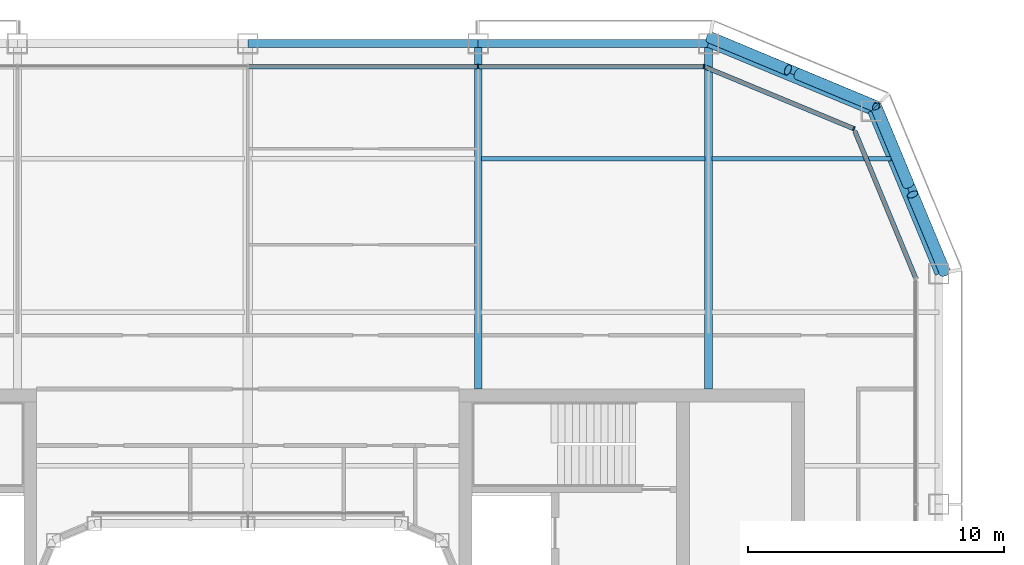
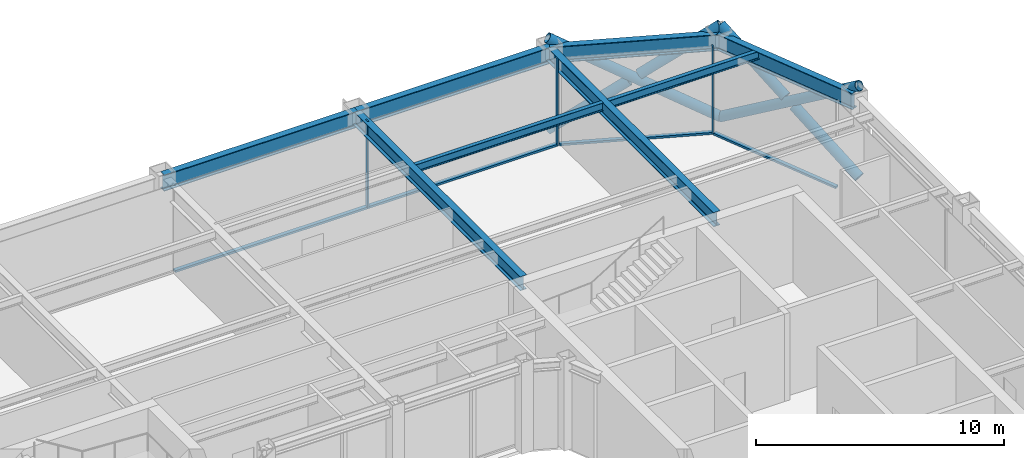
# One storey, part 10 of 23: 13 members, 8 beams, 3 elements without a shape of their own.
"""IFC4 building model written with IfcOpenShell, lengths in metres."""

from ifc_helpers import new_model, si_unit, direction, frame, origin, origin_2d, place, context, subcontext, project, spatial, rectangle, hollow_circle, i_section, extrude, material, layer, layer_set, material_profile, profile_set, type_object, element, aggregate, save


model = new_model("IFC4")

# Units and contexts
model_context = context("Model", 3, precision=1e-05, world=origin(), true_north=direction((0.0, 1.0)))
body_context = subcontext(model_context, "Body", "Model", "MODEL_VIEW")
ifc_project = project(units=[si_unit("LENGTHUNIT", "METRE"), si_unit("AREAUNIT", "SQUARE_METRE"), si_unit("VOLUMEUNIT", "CUBIC_METRE"), si_unit("PLANEANGLEUNIT", "RADIAN"), si_unit("MASSUNIT", "GRAM", prefix="KILO")], contexts=[model_context])

# Site, building, storey
site_placement = place(None, origin())
site = spatial("IfcSite", under=ifc_project, at=site_placement, CompositionType="ELEMENT")
building_placement = place(site_placement, origin())
building = spatial("IfcBuilding", under=site, at=building_placement, Name="Siwar Civic Tower", CompositionType="ELEMENT")
storey_placement = place(building_placement, frame((0.0, 0.0, 273.699951171875)))
storey = spatial("IfcBuildingStorey", under=building, at=storey_placement, Name="L59", CompositionType="ELEMENT", Elevation=273.699951171875)

# Curtain wall, member
ifc_material_1 = material(Name="Aluminium clad insulated panel", Category="aluminium")
ifc_layer_1 = layer(ifc_material_1, 0.179931640625)
ifc_layer_set_1 = layer_set([ifc_layer_1], Name="Aluminium clad insulated panel")
curtain_wall_type_1 = type_object("IfcCurtainWallType", Name="ENV-CW-CX", PredefinedType="NOTDEFINED", material=ifc_layer_set_1)
curtain_wall_1_placement = place(storey_placement, origin())
curtain_wall_1 = element("IfcCurtainWall", 1, at=curtain_wall_1_placement, inside=storey, type_object=curtain_wall_type_1, Name="Curtain wall C NE2", PredefinedType="NOTDEFINED")
ifc_material_2 = material(Name="Aluminium 6063-T6", Category="aluminium")
ifc_material_profile_1 = material_profile(ifc_material_2, rectangle(XDim=0.179931640625, YDim=0.06005859375, at=origin_2d()), Name="AL 180x60")
ifc_profile_set_1 = profile_set([ifc_material_profile_1], Name="Aluminium 6063-T6")
member_type_1 = type_object("IfcMemberType", Name="ENV-MULLION-C", PredefinedType="MULLION", material=ifc_profile_set_1)
member_1_placement = place(storey_placement, frame((23.675048828125, 23.675048828125, 0.0), z_axis=(0.0, 0.0, 1.0), x_axis=(-0.382683432365, -0.923879532511, 0.0)))
member_1 = element("IfcMember", 2, at=member_1_placement, type_object=member_type_1, Name="Mullion C NE2 1", PredefinedType="MULLION", context=body_context, shape_type="SweptSolid", body=[
    extrude(rectangle(XDim=0.179931640625, YDim=0.06005859375, at=origin_2d()), origin(), (0.0, 0.0, 1.0), 4.300048828125),
])

# Curtain wall, members
ifc_material_3 = material(Name="Aluminium and glass", Category="aluminium")
ifc_layer_2 = layer(ifc_material_3, 0.179931640625)
ifc_layer_set_2 = layer_set([ifc_layer_2], Name="Aluminium and glass")
curtain_wall_type_2 = type_object("IfcCurtainWallType", Name="ENV-CW-C", PredefinedType="NOTDEFINED", material=ifc_layer_set_2)
curtain_wall_2_placement = place(storey_placement, origin())
curtain_wall_2 = element("IfcCurtainWall", 3, at=curtain_wall_2_placement, inside=storey, type_object=curtain_wall_type_2, Name="Curtain wall C N", PredefinedType="NOTDEFINED")
member_2_placement = place(storey_placement, frame((17.821044921875, 26.10009765625, 0.0), z_axis=(0.0, 0.0, 1.0), x_axis=(0.0, -1.0, 0.0)))
member_2 = element("IfcMember", 4, at=member_2_placement, type_object=member_type_1, Name="Mullion C N 1", PredefinedType="MULLION", context=body_context, shape_type="SweptSolid", body=[
    extrude(rectangle(XDim=0.179931640625, YDim=0.06005859375, at=origin_2d()), origin(), (0.0, 0.0, 1.0), 4.300048828125),
])
member_3_placement = place(storey_placement, frame((9.0, 26.10009765625, 0.0), z_axis=(0.0, 0.0, 1.0), x_axis=(0.0, -1.0, 0.0)))
member_3 = element("IfcMember", 5, at=member_3_placement, type_object=member_type_1, Name="Mullion C N 2", PredefinedType="MULLION", context=body_context, shape_type="SweptSolid", body=[
    extrude(rectangle(XDim=0.179931640625, YDim=0.06005859375, at=origin_2d()), origin(), (0.0, 0.0, 1.0), 4.300048828125),
])

# Curtain wall, member
curtain_wall_3_placement = place(storey_placement, origin())
curtain_wall_3 = element("IfcCurtainWall", 6, at=curtain_wall_3_placement, inside=storey, type_object=curtain_wall_type_1, Name="Curtain wall C NE1", PredefinedType="NOTDEFINED")
ifc_material_4 = material(Name="Aluminium 6063-T6", Category="aluminium")
ifc_material_profile_2 = material_profile(ifc_material_4, rectangle(XDim=0.179931640625, YDim=0.10009765625, at=origin_2d()), Name="AL 180x100")
ifc_profile_set_2 = profile_set([ifc_material_profile_2], Name="Aluminium 6063-T6")
member_type_2 = type_object("IfcMemberType", Name="ENV-TRANSOM-C", PredefinedType="USERDEFINED", material=ifc_profile_set_2)
member_4_placement = place(storey_placement, frame((26.088623046875, 17.8486328125, 0.050048828125), z_axis=(-0.38267744817, 0.923882011223, 0.0), x_axis=(-0.923882011223, -0.38267744817, 0.0)))
member_4 = element("IfcMember", 7, at=member_4_placement, type_object=member_type_2, Name="Transom C NE1 1", ObjectType="TRANSOM", PredefinedType="USERDEFINED", context=body_context, shape_type="SweptSolid", body=[
    extrude(rectangle(XDim=0.179931640625, YDim=0.10009765625, at=origin_2d()), origin(), (0.0, 0.0, 1.0), 6.201904296875),
])
aggregate(curtain_wall_3, [member_4])

# Member
member_5_placement = place(storey_placement, frame((23.6474609375, 23.6865234375, 0.050048828125), z_axis=(-0.923876246063, 0.382691366456, 0.0), x_axis=(-0.382691366456, -0.923876246063, 0.0)))
member_5 = element("IfcMember", 8, at=member_5_placement, type_object=member_type_2, Name="Transom C NE2 1", ObjectType="TRANSOM", PredefinedType="USERDEFINED", context=body_context, shape_type="SweptSolid", body=[
    extrude(rectangle(XDim=0.179931640625, YDim=0.10009765625, at=origin_2d()), origin(), (0.0, 0.0, 1.0), 6.20166015625),
])

aggregate(curtain_wall_1, [member_1, member_5])

member_6_placement = place(storey_placement, frame((17.791015625, 26.10009765625, 0.050048828125), z_axis=(-1.0, 0.0, 0.0), x_axis=(0.0, -1.0, 0.0)))
member_6 = element("IfcMember", 9, at=member_6_placement, type_object=member_type_2, Name="Transom C N 1", ObjectType="TRANSOM", PredefinedType="USERDEFINED", context=body_context, shape_type="SweptSolid", body=[
    extrude(rectangle(XDim=0.179931640625, YDim=0.10009765625, at=origin_2d()), origin(), (0.0, 0.0, 1.0), 8.760986328125),
])

member_7_placement = place(storey_placement, frame((8.969970703125, 26.10009765625, 0.050048828125), z_axis=(-1.0, 0.0, 0.0), x_axis=(0.0, -1.0, 0.0)))
member_7 = element("IfcMember", 10, at=member_7_placement, type_object=member_type_2, Name="Transom C N 2", ObjectType="TRANSOM", PredefinedType="USERDEFINED", context=body_context, shape_type="SweptSolid", body=[
    extrude(rectangle(XDim=0.179931640625, YDim=0.10009765625, at=origin_2d()), origin(), (0.0, 0.0, 1.0), 8.93994140625),
])

aggregate(curtain_wall_2, [member_2, member_3, member_6, member_7])

# Members
ifc_material_5 = material(Name="Steel S355", Category="steel")
ifc_material_profile_3 = material_profile(ifc_material_5, hollow_circle(Radius=0.228515625, WallThickness=0.02001953125, at=origin_2d()), Name="CHS457x20")
ifc_profile_set_3 = profile_set([ifc_material_profile_3], Name="Steel S355")
member_type_3 = type_object("IfcMemberType", Name="STR-BR-CHS457x20", PredefinedType="BRACE", material=ifc_profile_set_3)
member_8_placement = place(storey_placement, frame((24.540771484375, 24.540771484375, 0.0), z_axis=(-0.777554562952, 0.323905527954, 0.538975055633), x_axis=(-0.384538969033, -0.923108759191, 0.0)))
element("IfcMember", 11, at=member_8_placement, inside=storey, type_object=member_type_3, Name="L59/brc/CNE1-19-0-1", PredefinedType="BRACE", context=body_context, shape_type="SweptSolid", body=[
    extrude(hollow_circle(Radius=0.228515625, WallThickness=0.02001953125, at=origin_2d()), origin(), (0.0, 0.0, 1.0), 8.34912109375),
])
for number, where, z_axis, x_axis, name in (
    (12, (18.048828125, 27.2451171875, 0.0), (0.777546448489, -0.323884455881, 0.538999424564), (0.38452107079, 0.92311621485, 0.0), "L59/brc/CNE1-19-0-2"),
    (13, (21.486572265625, 25.81298828125, 2.383056640625), (0.777572496853, -0.323895306243, 0.538955325357), (0.38452107079, 0.92311621485, 0.0), "L59/brc/CNE1-19-0-3"),
):
    element("IfcMember", number, at=place(storey_placement, frame(where, z_axis=z_axis, x_axis=x_axis)), inside=storey, type_object=member_type_3, Name=name, PredefinedType="BRACE", context=body_context, shape_type="SweptSolid", body=[
        extrude(hollow_circle(Radius=0.228515625, WallThickness=0.02001953125, at=origin_2d()), origin(), (0.0, 0.0, 1.0), 3.927978515625),
    ])
member_9_placement = place(storey_placement, frame((24.540771484375, 24.540771484375, 0.0), z_axis=(0.323905527954, -0.777554562952, 0.538975055633), x_axis=(0.923108759191, 0.384538969033, 0.0)))
element("IfcMember", 14, at=member_9_placement, inside=storey, type_object=member_type_3, Name="L59/brc/CNE1-19-0-0", PredefinedType="BRACE", context=body_context, shape_type="SweptSolid", body=[
    extrude(hollow_circle(Radius=0.228515625, WallThickness=0.02001953125, at=origin_2d()), origin(), (0.0, 0.0, 1.0), 8.34912109375),
])
for number, where, z_axis, x_axis, name in (
    (15, (27.2451171875, 18.048828125, 0.0), (-0.323884455881, 0.777546448489, 0.538999424564), (-0.92311621485, -0.38452107079, 0.0), "L59/brc/CNE1-19-0-4"),
    (16, (25.81298828125, 21.486572265625, 2.383056640625), (-0.323895306243, 0.777572496853, 0.538955325357), (-0.92311621485, -0.38452107079, 0.0), "L59/brc/CNE1-19-0-5"),
):
    element("IfcMember", number, at=place(storey_placement, frame(where, z_axis=z_axis, x_axis=x_axis)), inside=storey, type_object=member_type_3, Name=name, PredefinedType="BRACE", context=body_context, shape_type="SweptSolid", body=[
        extrude(hollow_circle(Radius=0.228515625, WallThickness=0.02001953125, at=origin_2d()), origin(), (0.0, 0.0, 1.0), 3.927978515625),
    ])

# Beams
ifc_material_6 = material(Name="Steel S355", Category="steel")
ifc_material_profile_4 = material_profile(ifc_material_6, i_section(OverallWidth=0.179931640625, OverallDepth=0.39990234375, WebThickness=0.008544921875, FlangeThickness=0.013427734375, FilletRadius=0.02099609375, at=origin_2d()), Name="IPE400")
ifc_profile_set_4 = profile_set([ifc_material_profile_4], Name="Steel S355")
beam_type_1 = type_object("IfcBeamType", Name="STR-FB-IPE400", PredefinedType="JOIST", material=ifc_profile_set_4)
beam_1_placement = place(storey_placement, frame((9.1298828125, 22.5, 4.10009765625), z_axis=(1.0, 0.0, 0.0), x_axis=(0.0, 1.0, 0.0)))
element("IfcBeam", 17, at=beam_1_placement, inside=storey, type_object=beam_type_1, Name="L59/bm/F041", PredefinedType="JOIST", context=body_context, shape_type="SweptSolid", body=[
    extrude(i_section(OverallWidth=0.179931640625, OverallDepth=0.39990234375, WebThickness=0.008544921875, FlangeThickness=0.013427734375, FilletRadius=0.02099609375, at=origin_2d()), origin(), (0.0, 0.0, 1.0), 8.740234375),
])
beam_2_placement = place(storey_placement, frame((18.1298828125, 22.5, 4.10009765625), z_axis=(1.0, 0.0, 0.0), x_axis=(0.0, 1.0, 0.0)))
element("IfcBeam", 18, at=beam_2_placement, inside=storey, type_object=beam_type_1, Name="L59/bm/F042", PredefinedType="JOIST", context=body_context, shape_type="SweptSolid", body=[
    extrude(i_section(OverallWidth=0.179931640625, OverallDepth=0.39990234375, WebThickness=0.008544921875, FlangeThickness=0.013427734375, FilletRadius=0.02099609375, at=origin_2d()), origin(), (0.0, 0.0, 1.0), 7.006103515625),
])
ifc_material_7 = material(Name="Steel S355", Category="steel")
ifc_material_profile_5 = material_profile(ifc_material_7, i_section(OverallWidth=0.300048828125, OverallDepth=0.699951171875, WebThickness=0.01708984375, FlangeThickness=0.031982421875, FilletRadius=0.027099609375, at=origin_2d()), Name="HEB700")
ifc_profile_set_5 = profile_set([ifc_material_profile_5], Name="Steel S355")
beam_type_2 = type_object("IfcBeamType", Name="STR-PG-HEB700", PredefinedType="BEAM", material=ifc_profile_set_5)
for number, where, z_axis, x_axis, name in (
    (19, (9.0, 13.5, 3.949951171875), (0.0, 1.0, 0.0), (-1.0, 0.0, 0.0), "L59/bm/G08"),
    (20, (18.0, 13.5, 3.949951171875), (0.0, 1.0, 0.0), (-1.0, 0.0, 0.0), "L59/bm/G10"),
):
    element("IfcBeam", number, at=place(storey_placement, frame(where, z_axis=z_axis, x_axis=x_axis)), inside=storey, type_object=beam_type_2, Name=name, PredefinedType="BEAM", context=body_context, shape_type="SweptSolid", body=[
        extrude(i_section(OverallWidth=0.300048828125, OverallDepth=0.699951171875, WebThickness=0.01708984375, FlangeThickness=0.031982421875, FilletRadius=0.027099609375, at=origin_2d()), origin(), (0.0, 0.0, 1.0), 13.5),
    ])
ifc_material_8 = material(Name="Steel S355", Category="steel")
ifc_material_profile_6 = material_profile(ifc_material_8, i_section(OverallWidth=0.300048828125, OverallDepth=0.800048828125, WebThickness=0.017578125, FlangeThickness=0.032958984375, FilletRadius=0.030029296875, at=origin_2d()), Name="HEB800")
ifc_profile_set_6 = profile_set([ifc_material_profile_6], Name="Steel S355")
beam_type_3 = type_object("IfcBeamType", Name="STR-SB-HEB800", PredefinedType="BEAM", material=ifc_profile_set_6)
for number, where, z_axis, x_axis, name in (
    (21, (27.0, 18.0, 3.900146484375), (-0.382674207535, 0.923883353507, 0.0), (-0.923883353507, -0.382674207535, 0.0), "L59/bm/SNE1-0"),
    (22, (24.364013671875, 24.364013671875, 3.900146484375), (-0.923883353507, 0.382674207535, 0.0), (-0.382674207535, -0.923883353507, 0.0), "L59/bm/SNE2-0"),
):
    element("IfcBeam", number, at=place(storey_placement, frame(where, z_axis=z_axis, x_axis=x_axis)), inside=storey, type_object=beam_type_3, Name=name, PredefinedType="BEAM", context=body_context, shape_type="SweptSolid", body=[
        extrude(i_section(OverallWidth=0.300048828125, OverallDepth=0.800048828125, WebThickness=0.017578125, FlangeThickness=0.032958984375, FilletRadius=0.030029296875, at=origin_2d()), origin(), (0.0, 0.0, 1.0), 6.888427734375),
    ])
for number, where, z_axis, x_axis, name in (
    (23, (18.0, 27.0, 3.900146484375), (-1.0, 0.0, 0.0), (0.0, -1.0, 0.0), "L59/bm/SN-0"),
    (24, (9.0, 27.0, 3.900146484375), (-1.0, 0.0, 0.0), (0.0, -1.0, 0.0), "L59/bm/SN-1"),
):
    element("IfcBeam", number, at=place(storey_placement, frame(where, z_axis=z_axis, x_axis=x_axis)), inside=storey, type_object=beam_type_3, Name=name, PredefinedType="BEAM", context=body_context, shape_type="SweptSolid", body=[
        extrude(i_section(OverallWidth=0.300048828125, OverallDepth=0.800048828125, WebThickness=0.017578125, FlangeThickness=0.032958984375, FilletRadius=0.030029296875, at=origin_2d()), origin(), (0.0, 0.0, 1.0), 9.0),
    ])

save(model, "model.ifc")
